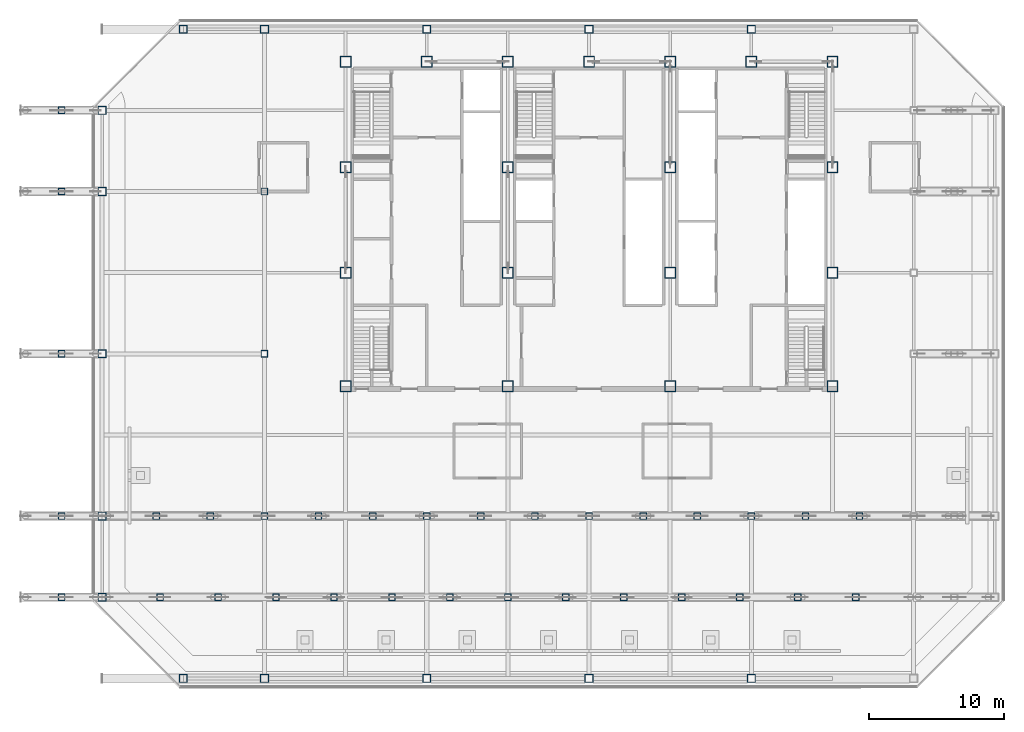
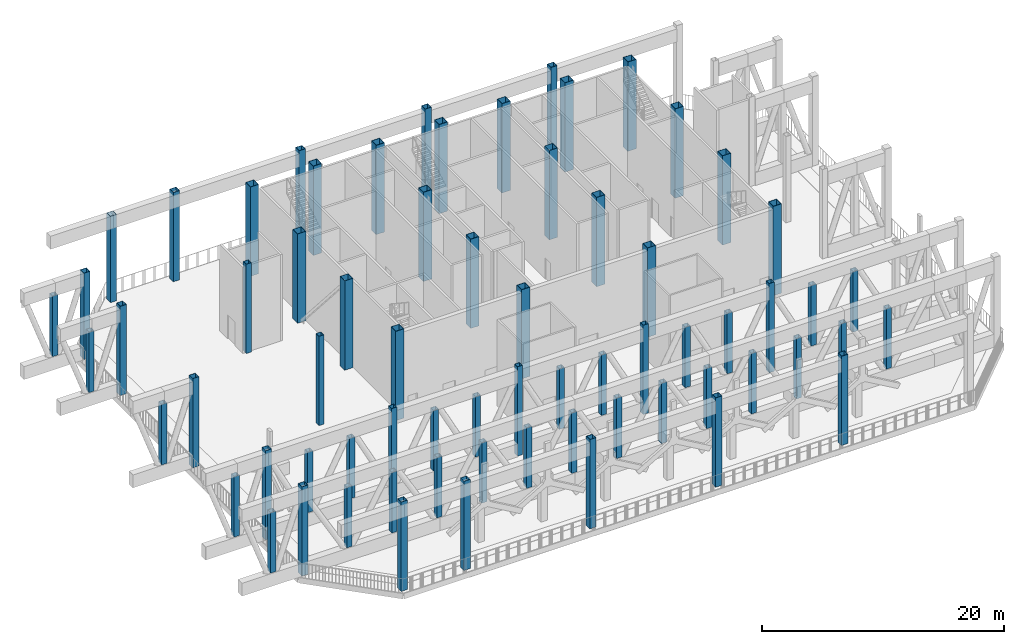
# One storey, part 1 of 22: 68 columns.
"""IFC4 building model written with IfcOpenShell, lengths in metres."""

from ifc_helpers import new_model, si_unit, direction, frame, origin, origin_2d, place, context, subcontext, project, spatial, hollow_rectangle, extrude, material, material_profile, profile_set, type_object, element, save


model = new_model("IFC4")

# Units and contexts
model_context = context("Model", 3, precision=1e-05, world=origin(), true_north=direction((0.0, 1.0)))
body_context = subcontext(model_context, "Body", "Model", "MODEL_VIEW")
ifc_project = project(units=[si_unit("LENGTHUNIT", "METRE"), si_unit("AREAUNIT", "SQUARE_METRE"), si_unit("VOLUMEUNIT", "CUBIC_METRE"), si_unit("PLANEANGLEUNIT", "RADIAN"), si_unit("MASSUNIT", "GRAM", prefix="KILO")], contexts=[model_context])

# Site, building, storey
site_placement = place(None, origin())
site = spatial("IfcSite", under=ifc_project, at=site_placement, CompositionType="ELEMENT")
building_placement = place(site_placement, origin())
building = spatial("IfcBuilding", under=site, at=building_placement, Name="Sorahane Residences", CompositionType="ELEMENT")
storey_placement = place(building_placement, frame((0.0, 0.0, 281.800048828125)))
storey = spatial("IfcBuildingStorey", under=building, at=storey_placement, Name="L67", CompositionType="ELEMENT", Elevation=281.800048828125)

# Columns
ifc_material_1 = material(Name="Steel Q355B", Category="steel")
ifc_material_profile_1 = material_profile(ifc_material_1, hollow_rectangle(XDim=0.5, YDim=0.5, WallThickness=0.02490234375, at=origin_2d()), Name="BOX 500x500x25")
ifc_profile_set_1 = profile_set([ifc_material_profile_1], Name="Steel Q355B")
column_type_1 = type_object("IfcColumnType", Name="Steel box column BOX 500x500x25 Q355B", PredefinedType="COLUMN", material=ifc_profile_set_1)
for number, where, z_axis, x_axis, name in (
    (1, (0.0, 12.0, 0.0), (0.0, 0.0, 1.0), (1.0, 0.0, 0.0), "Column L67 0/12"),
    (2, (0.0, 24.0, 0.0), (0.0, 0.0, 1.0), (1.0, 0.0, 0.0), "Column L67 0/24"),
    (3, (0.0, 36.0, 0.0), (0.0, 0.0, 1.0), (1.0, 0.0, 0.0), "Column L67 0/36"),
    (4, (12.0, 12.0, 0.0), (0.0, 0.0, 1.0), (1.0, 0.0, 0.0), "Column L67 12/12"),
    (5, (24.0, 12.0, 0.0), (0.0, 0.0, 1.0), (1.0, 0.0, 0.0), "Column L67 24/12"),
    (6, (36.0, 12.0, 0.0), (0.0, 0.0, 1.0), (1.0, 0.0, 0.0), "Column L67 36/12"),
):
    element("IfcColumn", number, at=place(storey_placement, frame(where, z_axis=z_axis, x_axis=x_axis)), inside=storey, type_object=column_type_1, Name=name, PredefinedType="COLUMN", context=body_context, shape_type="SweptSolid", body=[
        extrude(hollow_rectangle(XDim=0.5, YDim=0.5, WallThickness=0.02490234375, at=origin_2d()), origin(), (0.0, 0.0, 1.0), 9.0),
    ])
ifc_material_2 = material(Name="Steel Q355B", Category="steel")
ifc_material_profile_2 = material_profile(ifc_material_2, hollow_rectangle(XDim=0.60009765625, YDim=0.60009765625, WallThickness=0.028076171875, at=origin_2d()), Name="BOX 600x600x28")
ifc_profile_set_2 = profile_set([ifc_material_profile_2], Name="Steel Q355B")
column_type_2 = type_object("IfcColumnType", Name="Steel box column BOX 600x600x28 Q355B", PredefinedType="COLUMN", material=ifc_profile_set_2)
for number, where, z_axis, x_axis, name in (
    (7, (-12.0, 6.0, 0.0), (0.0, 0.0, 1.0), (1.0, 0.0, 0.0), "Column L67 m12/6"),
    (8, (-12.0, 12.0, 0.0), (0.0, 0.0, 1.0), (1.0, 0.0, 0.0), "Column L67 m12/12"),
    (9, (-12.0, 24.0, 0.0), (0.0, 0.0, 1.0), (1.0, 0.0, 0.0), "Column L67 m12/24"),
    (10, (-12.0, 36.0, 0.0), (0.0, 0.0, 1.0), (1.0, 0.0, 0.0), "Column L67 m12/36"),
):
    element("IfcColumn", number, at=place(storey_placement, frame(where, z_axis=z_axis, x_axis=x_axis)), inside=storey, type_object=column_type_2, Name=name, PredefinedType="COLUMN", context=body_context, shape_type="SweptSolid", body=[
        extrude(hollow_rectangle(XDim=0.60009765625, YDim=0.60009765625, WallThickness=0.028076171875, at=origin_2d()), origin(), (0.0, 0.0, 1.0), 9.0),
    ])
column_1_placement = place(storey_placement, frame((-12.0, 42.0, 0.0), z_axis=(0.0, 0.0, 1.0), x_axis=(1.0, 0.0, 0.0)))
element("IfcColumn", 11, at=column_1_placement, inside=storey, type_object=column_type_2, Name="Column L67 m12/42", PredefinedType="COLUMN", context=body_context, shape_type="SweptSolid", body=[
    extrude(hollow_rectangle(XDim=0.60009765625, YDim=0.60009765625, WallThickness=0.028076171875, at=origin_2d()), origin(), (0.0, 0.0, 1.0), 8.699951171875),
])
column_2_placement = place(storey_placement, frame((-6.0, 0.0, 0.0), z_axis=(0.0, 0.0, 1.0), x_axis=(1.0, 0.0, 0.0)))
element("IfcColumn", 12, at=column_2_placement, inside=storey, type_object=column_type_2, Name="Column L67 m6/0", PredefinedType="COLUMN", context=body_context, shape_type="SweptSolid", body=[
    extrude(hollow_rectangle(XDim=0.60009765625, YDim=0.60009765625, WallThickness=0.028076171875, at=origin_2d()), origin(), (0.0, 0.0, 1.0), 9.0),
])
column_3_placement = place(storey_placement, frame((-6.0, 48.0, 0.0), z_axis=(0.0, 0.0, 1.0), x_axis=(1.0, 0.0, 0.0)))
element("IfcColumn", 13, at=column_3_placement, inside=storey, type_object=column_type_2, Name="Column L67 m6/48", PredefinedType="COLUMN", context=body_context, shape_type="SweptSolid", body=[
    extrude(hollow_rectangle(XDim=0.60009765625, YDim=0.60009765625, WallThickness=0.028076171875, at=origin_2d()), origin(), (0.0, 0.0, 1.0), 8.699951171875),
])
for number, where, z_axis, x_axis, name in (
    (14, (0.0, 0.0, 0.0), (0.0, 0.0, 1.0), (1.0, 0.0, 0.0), "Column L67 0/0"),
    (15, (0.0, 48.0, 0.0), (0.0, 0.0, 1.0), (1.0, 0.0, 0.0), "Column L67 0/48"),
    (16, (12.0, 0.0, 0.0), (0.0, 0.0, 1.0), (1.0, 0.0, 0.0), "Column L67 12/0"),
    (17, (12.0, 48.0, 0.0), (0.0, 0.0, 1.0), (1.0, 0.0, 0.0), "Column L67 12/48"),
    (18, (24.0, 0.0, 0.0), (0.0, 0.0, 1.0), (1.0, 0.0, 0.0), "Column L67 24/0"),
    (19, (24.0, 48.0, 0.0), (0.0, 0.0, 1.0), (1.0, 0.0, 0.0), "Column L67 24/48"),
    (20, (36.0, 0.0, 0.0), (0.0, 0.0, 1.0), (1.0, 0.0, 0.0), "Column L67 36/0"),
    (21, (36.0, 48.0, 0.0), (0.0, 0.0, 1.0), (1.0, 0.0, 0.0), "Column L67 36/48"),
):
    element("IfcColumn", number, at=place(storey_placement, frame(where, z_axis=z_axis, x_axis=x_axis)), inside=storey, type_object=column_type_2, Name=name, PredefinedType="COLUMN", context=body_context, shape_type="SweptSolid", body=[
        extrude(hollow_rectangle(XDim=0.60009765625, YDim=0.60009765625, WallThickness=0.028076171875, at=origin_2d()), origin(), (0.0, 0.0, 1.0), 9.0),
    ])
ifc_material_3 = material(Name="Steel Q355B", Category="steel")
ifc_material_profile_3 = material_profile(ifc_material_3, hollow_rectangle(XDim=0.800048828125, YDim=0.800048828125, WallThickness=0.031982421875, at=origin_2d()), Name="BOX 800x800x32")
ifc_profile_set_3 = profile_set([ifc_material_profile_3], Name="Steel Q355B")
column_type_3 = type_object("IfcColumnType", Name="Steel box column BOX 800x800x32 Q355B", PredefinedType="COLUMN", material=ifc_profile_set_3)
for number, where, z_axis, x_axis, name in (
    (22, (6.0, 21.60009765625, 0.0), (0.0, 0.0, 1.0), (1.0, 0.0, 0.0), "Column L67 6/21.6"),
    (23, (6.0, 30.0, 0.0), (0.0, 0.0, 1.0), (1.0, 0.0, 0.0), "Column L67 6/30"),
    (24, (6.0, 37.800048828125, 0.0), (0.0, 0.0, 1.0), (1.0, 0.0, 0.0), "Column L67 6/37.8"),
    (25, (6.0, 45.60009765625, 0.0), (0.0, 0.0, 1.0), (1.0, 0.0, 0.0), "Column L67 6/45.6"),
    (26, (12.0, 45.60009765625, 0.0), (0.0, 0.0, 1.0), (1.0, 0.0, 0.0), "Column L67 12/45.6"),
    (27, (18.0, 21.60009765625, 0.0), (0.0, 0.0, 1.0), (1.0, 0.0, 0.0), "Column L67 18/21.6"),
    (28, (18.0, 30.0, 0.0), (0.0, 0.0, 1.0), (1.0, 0.0, 0.0), "Column L67 18/30"),
    (29, (18.0, 37.800048828125, 0.0), (0.0, 0.0, 1.0), (1.0, 0.0, 0.0), "Column L67 18/37.8"),
    (30, (18.0, 45.60009765625, 0.0), (0.0, 0.0, 1.0), (1.0, 0.0, 0.0), "Column L67 18/45.6"),
    (31, (24.0, 45.60009765625, 0.0), (0.0, 0.0, 1.0), (1.0, 0.0, 0.0), "Column L67 24/45.6"),
    (32, (30.0, 21.60009765625, 0.0), (0.0, 0.0, 1.0), (1.0, 0.0, 0.0), "Column L67 30/21.6"),
    (33, (30.0, 30.0, 0.0), (0.0, 0.0, 1.0), (1.0, 0.0, 0.0), "Column L67 30/30"),
    (34, (30.0, 37.800048828125, 0.0), (0.0, 0.0, 1.0), (1.0, 0.0, 0.0), "Column L67 30/37.8"),
    (35, (30.0, 45.60009765625, 0.0), (0.0, 0.0, 1.0), (1.0, 0.0, 0.0), "Column L67 30/45.6"),
    (36, (36.0, 45.60009765625, 0.0), (0.0, 0.0, 1.0), (1.0, 0.0, 0.0), "Column L67 36/45.6"),
    (37, (42.0, 21.60009765625, 0.0), (0.0, 0.0, 1.0), (1.0, 0.0, 0.0), "Column L67 42/21.6"),
    (38, (42.0, 30.0, 0.0), (0.0, 0.0, 1.0), (1.0, 0.0, 0.0), "Column L67 42/30"),
    (39, (42.0, 37.800048828125, 0.0), (0.0, 0.0, 1.0), (1.0, 0.0, 0.0), "Column L67 42/37.8"),
    (40, (42.0, 45.60009765625, 0.0), (0.0, 0.0, 1.0), (1.0, 0.0, 0.0), "Column L67 42/45.6"),
):
    element("IfcColumn", number, at=place(storey_placement, frame(where, z_axis=z_axis, x_axis=x_axis)), inside=storey, type_object=column_type_3, Name=name, PredefinedType="COLUMN", context=body_context, shape_type="SweptSolid", body=[
        extrude(hollow_rectangle(XDim=0.800048828125, YDim=0.800048828125, WallThickness=0.031982421875, at=origin_2d()), origin(), (0.0, 0.0, 1.0), 9.0),
    ])
ifc_material_4 = material(Name="Steel Q420GJ", Category="steel")
ifc_material_profile_4 = material_profile(ifc_material_4, hollow_rectangle(XDim=0.5, YDim=0.5, WallThickness=0.031982421875, at=origin_2d()), Name="BOX 500x500x32")
ifc_profile_set_4 = profile_set([ifc_material_profile_4], Name="Steel Q420GJ")
column_type_4 = type_object("IfcColumnType", Name="Truss post BOX 500x500x32 Q420GJ", PredefinedType="COLUMN", material=ifc_profile_set_4)
for number, where, z_axis, x_axis, name in (
    (41, (-15.0, 6.0, 1.300048828125), (0.0, 0.0, 1.0), (1.0, 0.0, 0.0), "Truss post L67"),
    (42, (-7.71435546875, 6.0, 1.300048828125), (0.0, 0.0, 1.0), (1.0, 0.0, 0.0), "Truss post L67"),
    (43, (-3.428466796875, 6.0, 1.300048828125), (0.0, 0.0, 1.0), (1.0, 0.0, 0.0), "Truss post L67"),
    (44, (0.857177734375, 6.0, 1.300048828125), (0.0, 0.0, 1.0), (1.0, 0.0, 0.0), "Truss post L67"),
    (45, (5.142822265625, 6.0, 1.300048828125), (0.0, 0.0, 1.0), (1.0, 0.0, 0.0), "Truss post L67"),
    (46, (9.428466796875, 6.0, 1.300048828125), (0.0, 0.0, 1.0), (1.0, 0.0, 0.0), "Truss post L67"),
    (47, (13.71435546875, 6.0, 1.300048828125), (0.0, 0.0, 1.0), (1.0, 0.0, 0.0), "Truss post L67"),
    (48, (18.0, 6.0, 1.300048828125), (0.0, 0.0, 1.0), (1.0, 0.0, 0.0), "Truss post L67"),
    (49, (22.28564453125, 6.0, 1.300048828125), (0.0, 0.0, 1.0), (1.0, 0.0, 0.0), "Truss post L67"),
    (50, (26.571533203125, 6.0, 1.300048828125), (0.0, 0.0, 1.0), (1.0, 0.0, 0.0), "Truss post L67"),
    (51, (30.857177734375, 6.0, 1.300048828125), (0.0, 0.0, 1.0), (1.0, 0.0, 0.0), "Truss post L67"),
    (52, (35.142822265625, 6.0, 1.300048828125), (0.0, 0.0, 1.0), (1.0, 0.0, 0.0), "Truss post L67"),
    (53, (39.428466796875, 6.0, 1.300048828125), (0.0, 0.0, 1.0), (1.0, 0.0, 0.0), "Truss post L67"),
    (54, (43.71435546875, 6.0, 1.300048828125), (0.0, 0.0, 1.0), (1.0, 0.0, 0.0), "Truss post L67"),
    (55, (-15.0, 12.0, 1.300048828125), (0.0, 0.0, 1.0), (1.0, 0.0, 0.0), "Truss post L67"),
    (56, (-8.0, 12.0, 1.300048828125), (0.0, 0.0, 1.0), (1.0, 0.0, 0.0), "Truss post L67"),
    (57, (-4.0, 12.0, 1.300048828125), (0.0, 0.0, 1.0), (1.0, 0.0, 0.0), "Truss post L67"),
    (58, (4.0, 12.0, 1.300048828125), (0.0, 0.0, 1.0), (1.0, 0.0, 0.0), "Truss post L67"),
    (59, (8.0, 12.0, 1.300048828125), (0.0, 0.0, 1.0), (1.0, 0.0, 0.0), "Truss post L67"),
    (60, (16.0, 12.0, 1.300048828125), (0.0, 0.0, 1.0), (1.0, 0.0, 0.0), "Truss post L67"),
    (61, (20.0, 12.0, 1.300048828125), (0.0, 0.0, 1.0), (1.0, 0.0, 0.0), "Truss post L67"),
    (62, (28.0, 12.0, 1.300048828125), (0.0, 0.0, 1.0), (1.0, 0.0, 0.0), "Truss post L67"),
    (63, (32.0, 12.0, 1.300048828125), (0.0, 0.0, 1.0), (1.0, 0.0, 0.0), "Truss post L67"),
    (64, (40.0, 12.0, 1.300048828125), (0.0, 0.0, 1.0), (1.0, 0.0, 0.0), "Truss post L67"),
    (65, (44.0, 12.0, 1.300048828125), (0.0, 0.0, 1.0), (1.0, 0.0, 0.0), "Truss post L67"),
    (66, (-15.0, 24.0, 1.300048828125), (0.0, 0.0, 1.0), (1.0, 0.0, 0.0), "Truss post L67"),
    (67, (-15.0, 36.0, 1.300048828125), (0.0, 0.0, 1.0), (1.0, 0.0, 0.0), "Truss post L67"),
    (68, (-15.0, 42.0, 1.300048828125), (0.0, 0.0, 1.0), (1.0, 0.0, 0.0), "Truss post L67"),
):
    element("IfcColumn", number, at=place(storey_placement, frame(where, z_axis=z_axis, x_axis=x_axis)), inside=storey, type_object=column_type_4, Name=name, PredefinedType="COLUMN", context=body_context, shape_type="SweptSolid", body=[
        extrude(hollow_rectangle(XDim=0.5, YDim=0.5, WallThickness=0.031982421875, at=origin_2d()), origin(), (0.0, 0.0, 1.0), 6.099853515625),
    ])

save(model, "model.ifc")
